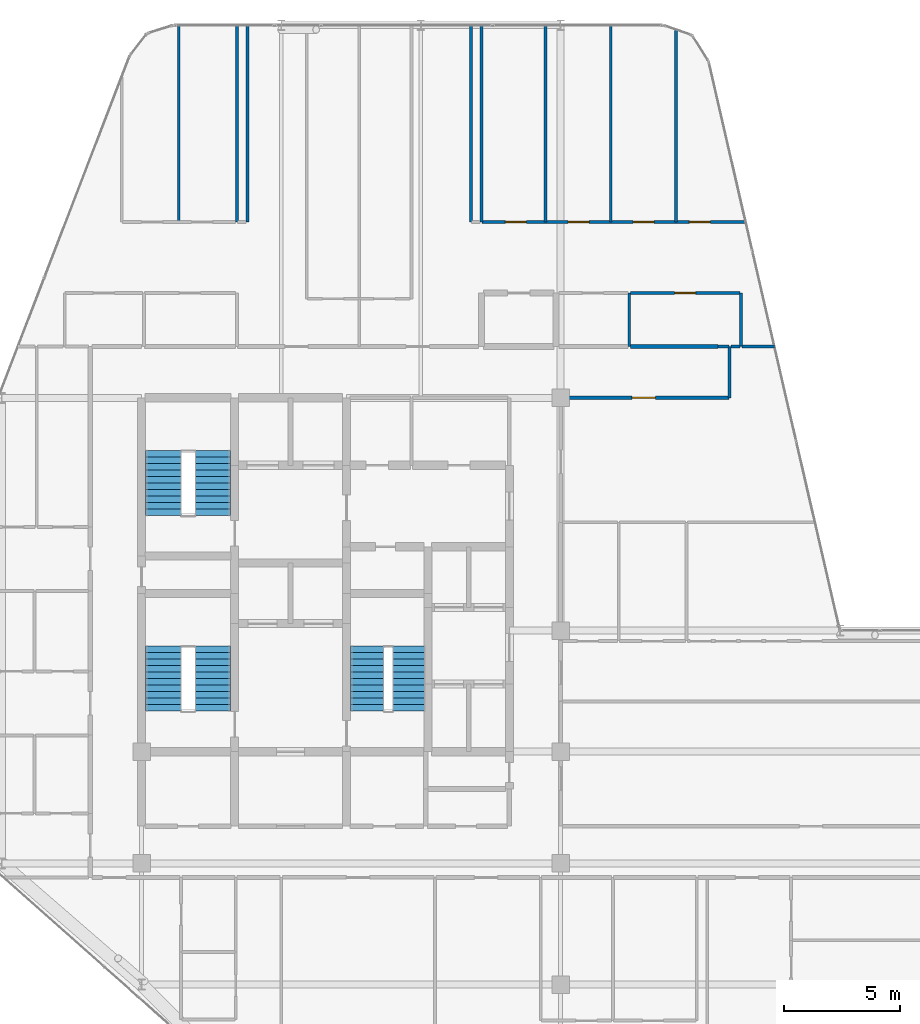
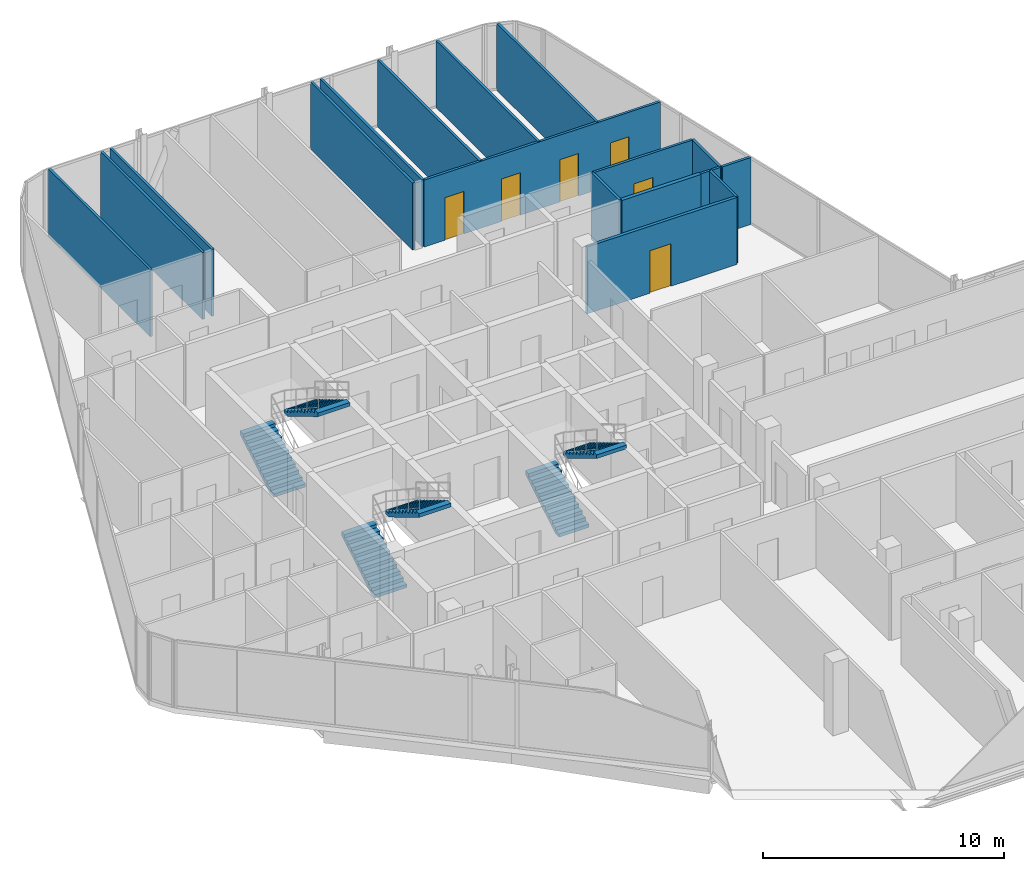
# One storey, part 28 of 29: 18 walls, 6 doors, 6 stair flights, 6 openings, 3 elements without a shape of their own.
"""IFC4 building model written with IfcOpenShell, lengths in metres."""

from ifc_helpers import new_model, si_unit, direction, frame, frame_2d, origin, place, context, subcontext, project, spatial, polyline, rectangle, outline, extrude, material, layer, layer_set, type_object, element, fill, aggregate, save


model = new_model("IFC4")

# Units and contexts
model_context = context("Model", 3, precision=1e-05, world=origin(), true_north=direction((0.0, 1.0)))
body_context = subcontext(model_context, "Body", "Model", "MODEL_VIEW")
ifc_project = project(units=[si_unit("LENGTHUNIT", "METRE"), si_unit("AREAUNIT", "SQUARE_METRE"), si_unit("VOLUMEUNIT", "CUBIC_METRE"), si_unit("PLANEANGLEUNIT", "RADIAN"), si_unit("MASSUNIT", "GRAM", prefix="KILO")], contexts=[model_context])

# Site, building, storey
site_placement = place(None, origin())
site = spatial("IfcSite", under=ifc_project, at=site_placement, CompositionType="ELEMENT")
building_placement = place(site_placement, origin())
building = spatial("IfcBuilding", under=site, at=building_placement, Name="Keshet Zoharim Tower", CompositionType="ELEMENT")
storey_placement = place(building_placement, frame((0.0, 0.0, 206.89990234375)))
storey = spatial("IfcBuildingStorey", under=building, at=storey_placement, Name="L51", CompositionType="ELEMENT", Elevation=206.89990234375)

# Wall, opening, door
ifc_material_1 = material(Name="Gypsum Plasterboard", Category="gypsum")
ifc_layer_1 = layer(ifc_material_1, 0.14990234375)
ifc_layer_set_1 = layer_set([ifc_layer_1], Name="Gypsum Plasterboard")
wall_type_1 = type_object("IfcWallType", Name="WL-CLIN-150", PredefinedType="STANDARD", material=ifc_layer_set_1)
wall_1_placement = place(storey_placement, frame((33.06005859375, 37.89990234375, 0.0), z_axis=(0.0, 0.0, 1.0), x_axis=(1.0, 0.0, 0.0)))
wall_1 = element("IfcWall", 1, at=wall_1_placement, inside=storey, type_object=wall_type_1, Name="L51 Interior Wall 172", PredefinedType="STANDARD", context=body_context, shape_type="SweptSolid", body=[
    extrude(rectangle(XDim=7.1640625, YDim=0.14990234375, at=frame_2d((3.58203125, 0.0))), origin(), (0.0, 0.0, 1.0), 3.39013671875),
])
opening_1_placement = place(wall_1_placement, frame((3.00390625, 0.0, 0.0)))
opening_1 = element("IfcOpeningElement", 2, at=opening_1_placement, cuts=wall_1, Name="Opening D-F310", PredefinedType="OPENING", context=body_context, shape_type="SweptSolid", body=[
    extrude(rectangle(XDim=1.0, YDim=2.14990234375, at=frame_2d((0.5, 1.074951171875))), frame((0.0, 0.0849609375, 0.0), z_axis=(0.0, -1.0, 0.0), x_axis=(1.0, 0.0, 0.0)), (0.0, 0.0, 1.0), 0.169921875),
])
ifc_material_2 = material(Name="Hardwood Timber", Category="wood")
door_type_1 = type_object("IfcDoorType", Name="DR-FD30-100", OperationType="NOTDEFINED", PredefinedType="DOOR", material=ifc_material_2)
door_1_placement = place(opening_1_placement, origin())
door_1 = element("IfcDoor", 3, at=door_1_placement, inside=storey, type_object=door_type_1, Name="L51 North West Residents Services Suite Door 1", OperationType="SINGLE_SWING_LEFT", OverallHeight=2.14990234375, OverallWidth=1.0, PredefinedType="DOOR", context=body_context, shape_type="SweptSolid", body=[
    extrude(rectangle(XDim=1.0, YDim=2.14990234375, at=frame_2d((0.5, 1.074951171875))), frame((0.0, 0.02490234375, 0.0), z_axis=(0.0, -1.0, 0.0), x_axis=(1.0, 0.0, 0.0)), (0.0, 0.0, 1.0), 0.050048828125),
])
fill(opening_1, door_1)

# Walls
ifc_layer_2 = layer(ifc_material_1, 0.179931640625)
ifc_layer_set_2 = layer_set([ifc_layer_2], Name="Gypsum Plasterboard")
wall_type_2 = type_object("IfcWallType", Name="WL-CORR-180", PredefinedType="STANDARD", material=ifc_layer_set_2)
wall_2_placement = place(storey_placement, frame((35.992919921875, 40.10009765625, 0.0), z_axis=(0.0, 0.0, 1.0), x_axis=(1.0, 0.0, 0.0)))
element("IfcWall", 4, at=wall_2_placement, inside=storey, type_object=wall_type_2, Name="L51 Interior Wall 181", PredefinedType="STANDARD", context=body_context, shape_type="SweptSolid", body=[
    extrude(rectangle(XDim=3.77001953125, YDim=0.179931640625, at=frame_2d((1.885009765625, 0.0))), origin(), (0.0, 0.0, 1.0), 3.39013671875),
])
ifc_layer_3 = layer(ifc_material_1, 0.1201171875)
ifc_layer_set_3 = layer_set([ifc_layer_3], Name="Gypsum Plasterboard")
wall_type_3 = type_object("IfcWallType", Name="WL-PART-120", PredefinedType="PARTITIONING", material=ifc_layer_set_3)
for number, where, z_axis, x_axis, name in (
    (5, (16.60009765625, 45.449951171875, 0.0), (0.0, 0.0, 1.0), (0.0, 1.0, 0.0), "L51 Interior Wall 020"),
    (6, (19.10009765625, 45.449951171875, 0.0), (0.0, 0.0, 1.0), (0.0, 1.0, 0.0), "L51 Interior Wall 031"),
    (7, (19.550048828125, 45.449951171875, 0.0), (0.0, 0.0, 1.0), (0.0, 1.0, 0.0), "L51 Interior Wall 032"),
    (8, (29.14990234375, 45.449951171875, 0.0), (0.0, 0.0, 1.0), (0.0, 1.0, 0.0), "L51 Interior Wall 057"),
    (9, (29.60009765625, 45.449951171875, 0.0), (0.0, 0.0, 1.0), (0.0, 1.0, 0.0), "L51 Interior Wall 059"),
    (10, (32.35009765625, 45.449951171875, 0.0), (0.0, 0.0, 1.0), (0.0, 1.0, 0.0), "L51 Interior Wall 070"),
    (11, (35.14990234375, 45.449951171875, 0.0), (0.0, 0.0, 1.0), (0.0, 1.0, 0.0), "L51 Interior Wall 076"),
):
    element("IfcWall", number, at=place(storey_placement, frame(where, z_axis=z_axis, x_axis=x_axis)), inside=storey, type_object=wall_type_3, Name=name, PredefinedType="PARTITIONING", context=body_context, shape_type="SweptSolid", body=[
        extrude(rectangle(XDim=8.43994140625, YDim=0.1201171875, at=frame_2d((4.219970703125, 0.0))), origin(), (0.0, 0.0, 1.0), 3.39013671875),
    ])
wall_3_placement = place(storey_placement, frame((37.949951171875, 45.449951171875, 0.0), z_axis=(0.0, 0.0, 1.0), x_axis=(0.0, 1.0, 0.0)))
element("IfcWall", 12, at=wall_3_placement, inside=storey, type_object=wall_type_3, Name="L51 Interior Wall 081", PredefinedType="PARTITIONING", context=body_context, shape_type="SweptSolid", body=[
    extrude(rectangle(XDim=8.2509765625, YDim=0.1201171875, at=frame_2d((4.12548828125, 0.0))), origin(), (0.0, 0.0, 1.0), 3.39013671875),
])
wall_4_placement = place(storey_placement, frame((40.25, 37.89990234375, 0.0), z_axis=(0.0, 0.0, 1.0), x_axis=(0.0, 1.0, 0.0)))
element("IfcWall", 13, at=wall_4_placement, inside=storey, type_object=wall_type_3, Name="L51 Interior Wall 086", PredefinedType="PARTITIONING", context=body_context, shape_type="SweptSolid", body=[
    extrude(rectangle(XDim=2.2001953125, YDim=0.1201171875, at=frame_2d((1.10009765625, 0.0))), origin(), (0.0, 0.0, 1.0), 3.39013671875),
])
wall_5_placement = place(storey_placement, frame((40.75, 40.10009765625, 0.0), z_axis=(0.0, 0.0, 1.0), x_axis=(0.0, 1.0, 0.0)))
element("IfcWall", 14, at=wall_5_placement, inside=storey, type_object=wall_type_3, Name="L51 Interior Wall 087", PredefinedType="PARTITIONING", context=body_context, shape_type="SweptSolid", body=[
    extrude(rectangle(XDim=2.2998046875, YDim=0.1201171875, at=frame_2d((1.14990234375, 0.0))), origin(), (0.0, 0.0, 1.0), 3.39013671875),
])
wall_6_placement = place(storey_placement, frame((39.762939453125, 40.10009765625, 0.0), z_axis=(0.0, 0.0, 1.0), x_axis=(1.0, 0.0, 0.0)))
element("IfcWall", 15, at=wall_6_placement, inside=storey, type_object=wall_type_3, Name="L51 Interior Wall 182", PredefinedType="PARTITIONING", context=body_context, shape_type="SweptSolid", body=[
    extrude(rectangle(XDim=0.462158203125, YDim=0.1201171875, at=frame_2d((0.23095703125, 0.0))), origin(), (0.0, 0.0, 1.0), 3.39013671875),
])
wall_7_placement = place(storey_placement, frame((40.31494140625, 40.10009765625, 0.0), z_axis=(0.0, 0.0, 1.0), x_axis=(1.0, 0.0, 0.0)))
element("IfcWall", 16, at=wall_7_placement, inside=storey, type_object=wall_type_3, Name="L51 Interior Wall 183", PredefinedType="PARTITIONING", context=body_context, shape_type="SweptSolid", body=[
    extrude(rectangle(XDim=0.39208984375, YDim=0.1201171875, at=frame_2d((0.196044921875, 0.0))), origin(), (0.0, 0.0, 1.0), 3.39013671875),
])
wall_8_placement = place(storey_placement, frame((40.797119140625, 40.10009765625, 0.0), z_axis=(0.0, 0.0, 1.0), x_axis=(1.0, 0.0, 0.0)))
element("IfcWall", 17, at=wall_8_placement, inside=storey, type_object=wall_type_3, Name="L51 Interior Wall 184", PredefinedType="PARTITIONING", context=body_context, shape_type="SweptSolid", body=[
    extrude(rectangle(XDim=1.3779296875, YDim=0.1201171875, at=frame_2d((0.68896484375, 0.0))), origin(), (0.0, 0.0, 1.0), 3.39013671875),
])

# Wall, opening, door
wall_9_placement = place(storey_placement, frame((35.992919921875, 42.39990234375, 0.0), z_axis=(0.0, 0.0, 1.0), x_axis=(1.0, 0.0, 0.0)))
wall_9 = element("IfcWall", 18, at=wall_9_placement, inside=storey, type_object=wall_type_3, Name="L51 Interior Wall 190", PredefinedType="PARTITIONING", context=body_context, shape_type="SweptSolid", body=[
    extrude(rectangle(XDim=4.714111328125, YDim=0.1201171875, at=frame_2d((2.35693359375, 0.0))), origin(), (0.0, 0.0, 1.0), 3.39013671875),
])
opening_2_placement = place(wall_9_placement, frame((1.906982421875, 0.0, 0.0)))
opening_2 = element("IfcOpeningElement", 19, at=opening_2_placement, cuts=wall_9, Name="Opening D-IN90", PredefinedType="OPENING", context=body_context, shape_type="SweptSolid", body=[
    extrude(rectangle(XDim=0.89990234375, YDim=2.14990234375, at=frame_2d((0.449951171875, 1.074951171875))), frame((0.0, 0.070068359375, 0.0), z_axis=(0.0, -1.0, 0.0), x_axis=(1.0, 0.0, 0.0)), (0.0, 0.0, 1.0), 0.14013671875),
])
door_type_2 = type_object("IfcDoorType", Name="DR-INT-090", OperationType="NOTDEFINED", PredefinedType="DOOR", material=ifc_material_2)
door_2_placement = place(opening_2_placement, origin())
door_2 = element("IfcDoor", 20, at=door_2_placement, inside=storey, type_object=door_type_2, Name="Apartment 5106 Kitchen Door", OperationType="SINGLE_SWING_RIGHT", OverallHeight=2.14990234375, OverallWidth=0.89990234375, PredefinedType="DOOR", context=body_context, shape_type="SweptSolid", body=[
    extrude(rectangle(XDim=0.89990234375, YDim=2.14990234375, at=frame_2d((0.449951171875, 1.074951171875))), frame((0.0, 0.02490234375, 0.0), z_axis=(0.0, -1.0, 0.0), x_axis=(1.0, 0.0, 0.0)), (0.0, 0.0, 1.0), 0.050048828125),
])
fill(opening_2, door_2)

# Wall, openings, doors
wall_10_placement = place(storey_placement, frame((29.625, 45.449951171875, 0.0), z_axis=(0.0, 0.0, 1.0), x_axis=(1.0, 0.0, 0.0)))
wall_10 = element("IfcWall", 21, at=wall_10_placement, inside=storey, type_object=wall_type_3, Name="L51 Interior Wall 194", PredefinedType="PARTITIONING", context=body_context, shape_type="SweptSolid", body=[
    extrude(rectangle(XDim=11.31494140625, YDim=0.1201171875, at=frame_2d((5.657470703125, 0.0))), origin(), (0.0, 0.0, 1.0), 3.39013671875),
])
opening_3_placement = place(wall_10_placement, frame((1.0029296875, 0.0, 0.0)))
opening_3 = element("IfcOpeningElement", 22, at=opening_3_placement, cuts=wall_10, Name="Opening D-IN90", PredefinedType="OPENING", context=body_context, shape_type="SweptSolid", body=[
    extrude(rectangle(XDim=0.89990234375, YDim=2.14990234375, at=frame_2d((0.449951171875, 1.074951171875))), frame((0.0, 0.070068359375, 0.0), z_axis=(0.0, -1.0, 0.0), x_axis=(1.0, 0.0, 0.0)), (0.0, 0.0, 1.0), 0.14013671875),
])
opening_4_placement = place(wall_10_placement, frame((3.695068359375, 0.0, 0.0)))
opening_4 = element("IfcOpeningElement", 23, at=opening_4_placement, cuts=wall_10, Name="Opening D-IN90", PredefinedType="OPENING", context=body_context, shape_type="SweptSolid", body=[
    extrude(rectangle(XDim=0.89990234375, YDim=2.14990234375, at=frame_2d((0.449951171875, 1.074951171875))), frame((0.0, 0.070068359375, 0.0), z_axis=(0.0, -1.0, 0.0), x_axis=(1.0, 0.0, 0.0)), (0.0, 0.0, 1.0), 0.14013671875),
])
opening_5_placement = place(wall_10_placement, frame((6.487060546875, 0.0, 0.0)))
opening_5 = element("IfcOpeningElement", 24, at=opening_5_placement, cuts=wall_10, Name="Opening D-IN90", PredefinedType="OPENING", context=body_context, shape_type="SweptSolid", body=[
    extrude(rectangle(XDim=0.89990234375, YDim=2.14990234375, at=frame_2d((0.449951171875, 1.074951171875))), frame((0.0, 0.070068359375, 0.0), z_axis=(0.0, -1.0, 0.0), x_axis=(1.0, 0.0, 0.0)), (0.0, 0.0, 1.0), 0.14013671875),
])
opening_6_placement = place(wall_10_placement, frame((8.902099609375, 0.0, 0.0)))
opening_6 = element("IfcOpeningElement", 25, at=opening_6_placement, cuts=wall_10, Name="Opening D-IN90", PredefinedType="OPENING", context=body_context, shape_type="SweptSolid", body=[
    extrude(rectangle(XDim=0.89990234375, YDim=2.14990234375, at=frame_2d((0.449951171875, 1.074951171875))), frame((0.0, 0.070068359375, 0.0), z_axis=(0.0, -1.0, 0.0), x_axis=(1.0, 0.0, 0.0)), (0.0, 0.0, 1.0), 0.14013671875),
])
door_3_placement = place(opening_3_placement, origin())
door_3 = element("IfcDoor", 26, at=door_3_placement, inside=storey, type_object=door_type_2, Name="Apartment 5106 Bedroom 1 Door", OperationType="SINGLE_SWING_LEFT", OverallHeight=2.14990234375, OverallWidth=0.89990234375, PredefinedType="DOOR", context=body_context, shape_type="SweptSolid", body=[
    extrude(rectangle(XDim=0.89990234375, YDim=2.14990234375, at=frame_2d((0.449951171875, 1.074951171875))), frame((0.0, 0.02490234375, 0.0), z_axis=(0.0, -1.0, 0.0), x_axis=(1.0, 0.0, 0.0)), (0.0, 0.0, 1.0), 0.050048828125),
])
fill(opening_3, door_3)
door_4_placement = place(opening_4_placement, origin())
door_4 = element("IfcDoor", 27, at=door_4_placement, inside=storey, type_object=door_type_2, Name="Apartment 5106 Bedroom 2 Door", OperationType="SINGLE_SWING_RIGHT", OverallHeight=2.14990234375, OverallWidth=0.89990234375, PredefinedType="DOOR", context=body_context, shape_type="SweptSolid", body=[
    extrude(rectangle(XDim=0.89990234375, YDim=2.14990234375, at=frame_2d((0.449951171875, 1.074951171875))), frame((0.0, 0.02490234375, 0.0), z_axis=(0.0, -1.0, 0.0), x_axis=(1.0, 0.0, 0.0)), (0.0, 0.0, 1.0), 0.050048828125),
])
fill(opening_4, door_4)
door_5_placement = place(opening_5_placement, origin())
door_5 = element("IfcDoor", 28, at=door_5_placement, inside=storey, type_object=door_type_2, Name="Apartment 5106 Bedroom 3 Door", OperationType="SINGLE_SWING_LEFT", OverallHeight=2.14990234375, OverallWidth=0.89990234375, PredefinedType="DOOR", context=body_context, shape_type="SweptSolid", body=[
    extrude(rectangle(XDim=0.89990234375, YDim=2.14990234375, at=frame_2d((0.449951171875, 1.074951171875))), frame((0.0, 0.02490234375, 0.0), z_axis=(0.0, -1.0, 0.0), x_axis=(1.0, 0.0, 0.0)), (0.0, 0.0, 1.0), 0.050048828125),
])
fill(opening_5, door_5)
door_6_placement = place(opening_6_placement, origin())
door_6 = element("IfcDoor", 29, at=door_6_placement, inside=storey, type_object=door_type_2, Name="Apartment 5106 Bedroom 4 Door", OperationType="SINGLE_SWING_RIGHT", OverallHeight=2.14990234375, OverallWidth=0.89990234375, PredefinedType="DOOR", context=body_context, shape_type="SweptSolid", body=[
    extrude(rectangle(XDim=0.89990234375, YDim=2.14990234375, at=frame_2d((0.449951171875, 1.074951171875))), frame((0.0, 0.02490234375, 0.0), z_axis=(0.0, -1.0, 0.0), x_axis=(1.0, 0.0, 0.0)), (0.0, 0.0, 1.0), 0.050048828125),
])
fill(opening_6, door_6)

# Wall
ifc_layer_4 = layer(ifc_material_1, 0.1201171875)
ifc_layer_set_4 = layer_set([ifc_layer_4], Name="Gypsum Plasterboard")
wall_type_4 = type_object("IfcWallType", Name="WL-WET-120", PredefinedType="PARTITIONING", material=ifc_layer_set_4)
wall_11_placement = place(storey_placement, frame((35.949951171875, 40.10009765625, 0.0), z_axis=(0.0, 0.0, 1.0), x_axis=(0.0, 1.0, 0.0)))
element("IfcWall", 30, at=wall_11_placement, inside=storey, type_object=wall_type_4, Name="L51 Interior Wall 080", PredefinedType="PARTITIONING", context=body_context, shape_type="SweptSolid", body=[
    extrude(rectangle(XDim=2.2998046875, YDim=0.1201171875, at=frame_2d((1.14990234375, 0.0))), origin(), (0.0, 0.0, 1.0), 3.39013671875),
])

# Stair, stair flights
ifc_material_3 = material(Name="Concrete C50/60", Category="concrete")
stair_type = type_object("IfcStairType", Name="STR-EXIT-135", PredefinedType="HALF_TURN_STAIR", material=ifc_material_3)
stair_1_placement = place(storey_placement, origin())
stair_1 = element("IfcStair", 31, at=stair_1_placement, inside=storey, type_object=stair_type, Name="L51 Enclosed Exit Stair ST-01", PredefinedType="HALF_TURN_STAIR")
stair_flight_type_1 = type_object("IfcStairFlightType", Name="FLT-PRE-135", PredefinedType="STRAIGHT", material=ifc_material_3)
stair_flight_1_placement = place(storey_placement, frame((15.945068359375, 24.43994140625, 0.0), z_axis=(0.0, 0.0, 1.0), x_axis=(0.0, 1.0, 0.0)))
stair_flight_1 = element("IfcStairFlight", 32, at=stair_flight_1_placement, type_object=stair_flight_type_1, Name="ST-01 flight 1", NumberOfRisers=11, NumberOfTreads=10, PredefinedType="STRAIGHT", RiserHeight=0.168182, TreadLength=0.28, context=body_context, shape_type="SweptSolid", body=[
    extrude(outline(polyline([(0.0, 0.0), (0.0, 0.168212890625), (0.280029296875, 0.168212890625), (0.280029296875, 0.33642578125), (0.56005859375, 0.33642578125), (0.56005859375, 0.504638671875), (0.840087890625, 0.504638671875), (0.840087890625, 0.672607421875), (1.1201171875, 0.672607421875), (1.1201171875, 0.8408203125), (1.39990234375, 0.8408203125), (1.39990234375, 1.009033203125), (1.679931640625, 1.009033203125), (1.679931640625, 1.17724609375), (1.9599609375, 1.17724609375), (1.9599609375, 1.345458984375), (2.239990234375, 1.345458984375), (2.239990234375, 1.513671875), (2.52001953125, 1.513671875), (2.52001953125, 1.681884765625), (2.800048828125, 1.681884765625), (2.800048828125, 1.85009765625), (2.800048828125, 1.495361328125), (0.310546875, 0.0), (0.0, 0.0)])), frame((0.0, 0.76513671875, 0.0), z_axis=(0.0, -1.0, 0.0), x_axis=(1.0, 0.0, 0.0)), (0.0, 0.0, 1.0), 1.530029296875),
])
stair_flight_2_placement = place(storey_placement, frame((18.054931640625, 27.239990234375, 1.85009765625), z_axis=(0.0, 0.0, 1.0), x_axis=(0.0, -1.0, 0.0)))
stair_flight_2 = element("IfcStairFlight", 33, at=stair_flight_2_placement, type_object=stair_flight_type_1, Name="ST-01 flight 2", NumberOfRisers=11, NumberOfTreads=10, PredefinedType="STRAIGHT", RiserHeight=0.168182, TreadLength=0.28, context=body_context, shape_type="SweptSolid", body=[
    extrude(outline(polyline([(0.0, 0.0), (0.0, 0.168212890625), (0.280029296875, 0.168212890625), (0.280029296875, 0.33642578125), (0.56005859375, 0.33642578125), (0.56005859375, 0.504638671875), (0.840087890625, 0.504638671875), (0.840087890625, 0.672607421875), (1.1201171875, 0.672607421875), (1.1201171875, 0.8408203125), (1.39990234375, 0.8408203125), (1.39990234375, 1.009033203125), (1.679931640625, 1.009033203125), (1.679931640625, 1.17724609375), (1.9599609375, 1.17724609375), (1.9599609375, 1.345458984375), (2.239990234375, 1.345458984375), (2.239990234375, 1.513671875), (2.52001953125, 1.513671875), (2.52001953125, 1.681884765625), (2.800048828125, 1.681884765625), (2.800048828125, 1.85009765625), (2.800048828125, 1.495361328125), (0.310546875, 0.0), (0.0, 0.0)])), frame((0.0, 0.76513671875, 0.0), z_axis=(0.0, -1.0, 0.0), x_axis=(1.0, 0.0, 0.0)), (0.0, 0.0, 1.0), 1.530029296875),
])
aggregate(stair_1, [stair_flight_1, stair_flight_2])

stair_2_placement = place(storey_placement, origin())
stair_2 = element("IfcStair", 34, at=stair_2_placement, inside=storey, type_object=stair_type, Name="L51 Enclosed Exit Stair ST-02", PredefinedType="HALF_TURN_STAIR")
stair_flight_3_placement = place(storey_placement, frame((15.945068359375, 32.840087890625, 0.0), z_axis=(0.0, 0.0, 1.0), x_axis=(0.0, 1.0, 0.0)))
stair_flight_3 = element("IfcStairFlight", 35, at=stair_flight_3_placement, type_object=stair_flight_type_1, Name="ST-02 flight 1", NumberOfRisers=11, NumberOfTreads=10, PredefinedType="STRAIGHT", RiserHeight=0.168182, TreadLength=0.28, context=body_context, shape_type="SweptSolid", body=[
    extrude(outline(polyline([(0.0, 0.0), (0.0, 0.168212890625), (0.280029296875, 0.168212890625), (0.280029296875, 0.33642578125), (0.56005859375, 0.33642578125), (0.56005859375, 0.504638671875), (0.840087890625, 0.504638671875), (0.840087890625, 0.672607421875), (1.1201171875, 0.672607421875), (1.1201171875, 0.8408203125), (1.39990234375, 0.8408203125), (1.39990234375, 1.009033203125), (1.679931640625, 1.009033203125), (1.679931640625, 1.17724609375), (1.9599609375, 1.17724609375), (1.9599609375, 1.345458984375), (2.239990234375, 1.345458984375), (2.239990234375, 1.513671875), (2.52001953125, 1.513671875), (2.52001953125, 1.681884765625), (2.800048828125, 1.681884765625), (2.800048828125, 1.85009765625), (2.800048828125, 1.495361328125), (0.310546875, 0.0), (0.0, 0.0)])), frame((0.0, 0.76513671875, 0.0), z_axis=(0.0, -1.0, 0.0), x_axis=(1.0, 0.0, 0.0)), (0.0, 0.0, 1.0), 1.530029296875),
])
stair_flight_4_placement = place(storey_placement, frame((18.054931640625, 35.639892578125, 1.85009765625), z_axis=(0.0, 0.0, 1.0), x_axis=(0.0, -1.0, 0.0)))
stair_flight_4 = element("IfcStairFlight", 36, at=stair_flight_4_placement, type_object=stair_flight_type_1, Name="ST-02 flight 2", NumberOfRisers=11, NumberOfTreads=10, PredefinedType="STRAIGHT", RiserHeight=0.168182, TreadLength=0.28, context=body_context, shape_type="SweptSolid", body=[
    extrude(outline(polyline([(0.0, 0.0), (0.0, 0.168212890625), (0.280029296875, 0.168212890625), (0.280029296875, 0.33642578125), (0.56005859375, 0.33642578125), (0.56005859375, 0.504638671875), (0.840087890625, 0.504638671875), (0.840087890625, 0.672607421875), (1.1201171875, 0.672607421875), (1.1201171875, 0.8408203125), (1.39990234375, 0.8408203125), (1.39990234375, 1.009033203125), (1.679931640625, 1.009033203125), (1.679931640625, 1.17724609375), (1.9599609375, 1.17724609375), (1.9599609375, 1.345458984375), (2.239990234375, 1.345458984375), (2.239990234375, 1.513671875), (2.52001953125, 1.513671875), (2.52001953125, 1.681884765625), (2.800048828125, 1.681884765625), (2.800048828125, 1.85009765625), (2.800048828125, 1.495361328125), (0.310546875, 0.0), (0.0, 0.0)])), frame((0.0, 0.76513671875, 0.0), z_axis=(0.0, -1.0, 0.0), x_axis=(1.0, 0.0, 0.0)), (0.0, 0.0, 1.0), 1.530029296875),
])
aggregate(stair_2, [stair_flight_3, stair_flight_4])

stair_3_placement = place(storey_placement, origin())
stair_3 = element("IfcStair", 37, at=stair_3_placement, inside=storey, type_object=stair_type, Name="L51 Enclosed Exit Stair ST-03", PredefinedType="HALF_TURN_STAIR")
stair_flight_type_2 = type_object("IfcStairFlightType", Name="FLT-PRE-144", PredefinedType="STRAIGHT", material=ifc_material_3)
stair_flight_5_placement = place(storey_placement, frame((24.699951171875, 24.43994140625, 0.0), z_axis=(0.0, 0.0, 1.0), x_axis=(0.0, 1.0, 0.0)))
stair_flight_5 = element("IfcStairFlight", 38, at=stair_flight_5_placement, type_object=stair_flight_type_2, Name="ST-03 flight 1", NumberOfRisers=11, NumberOfTreads=10, PredefinedType="STRAIGHT", RiserHeight=0.168182, TreadLength=0.28, context=body_context, shape_type="SweptSolid", body=[
    extrude(outline(polyline([(0.0, 0.0), (0.0, 0.168212890625), (0.280029296875, 0.168212890625), (0.280029296875, 0.33642578125), (0.56005859375, 0.33642578125), (0.56005859375, 0.504638671875), (0.840087890625, 0.504638671875), (0.840087890625, 0.672607421875), (1.1201171875, 0.672607421875), (1.1201171875, 0.8408203125), (1.39990234375, 0.8408203125), (1.39990234375, 1.009033203125), (1.679931640625, 1.009033203125), (1.679931640625, 1.17724609375), (1.9599609375, 1.17724609375), (1.9599609375, 1.345458984375), (2.239990234375, 1.345458984375), (2.239990234375, 1.513671875), (2.52001953125, 1.513671875), (2.52001953125, 1.681884765625), (2.800048828125, 1.681884765625), (2.800048828125, 1.85009765625), (2.800048828125, 1.495361328125), (0.310546875, 0.0), (0.0, 0.0)])), frame((0.0, 0.719970703125, 0.0), z_axis=(0.0, -1.0, 0.0), x_axis=(1.0, 0.0, 0.0)), (0.0, 0.0, 1.0), 1.43994140625),
])
stair_flight_6_placement = place(storey_placement, frame((26.5, 27.239990234375, 1.85009765625), z_axis=(0.0, 0.0, 1.0), x_axis=(0.0, -1.0, 0.0)))
stair_flight_6 = element("IfcStairFlight", 39, at=stair_flight_6_placement, type_object=stair_flight_type_2, Name="ST-03 flight 2", NumberOfRisers=11, NumberOfTreads=10, PredefinedType="STRAIGHT", RiserHeight=0.168182, TreadLength=0.28, context=body_context, shape_type="SweptSolid", body=[
    extrude(outline(polyline([(0.0, 0.0), (0.0, 0.168212890625), (0.280029296875, 0.168212890625), (0.280029296875, 0.33642578125), (0.56005859375, 0.33642578125), (0.56005859375, 0.504638671875), (0.840087890625, 0.504638671875), (0.840087890625, 0.672607421875), (1.1201171875, 0.672607421875), (1.1201171875, 0.8408203125), (1.39990234375, 0.8408203125), (1.39990234375, 1.009033203125), (1.679931640625, 1.009033203125), (1.679931640625, 1.17724609375), (1.9599609375, 1.17724609375), (1.9599609375, 1.345458984375), (2.239990234375, 1.345458984375), (2.239990234375, 1.513671875), (2.52001953125, 1.513671875), (2.52001953125, 1.681884765625), (2.800048828125, 1.681884765625), (2.800048828125, 1.85009765625), (2.800048828125, 1.495361328125), (0.310546875, 0.0), (0.0, 0.0)])), frame((0.0, 0.719970703125, 0.0), z_axis=(0.0, -1.0, 0.0), x_axis=(1.0, 0.0, 0.0)), (0.0, 0.0, 1.0), 1.43994140625),
])
aggregate(stair_3, [stair_flight_5, stair_flight_6])

save(model, "model.ifc")
